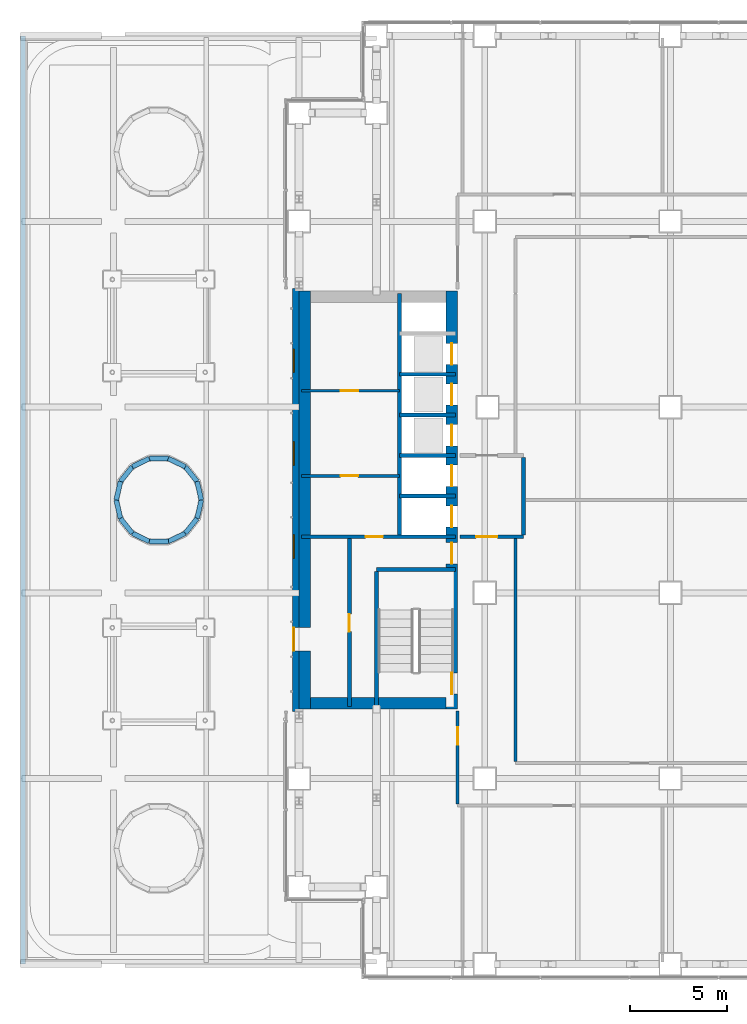
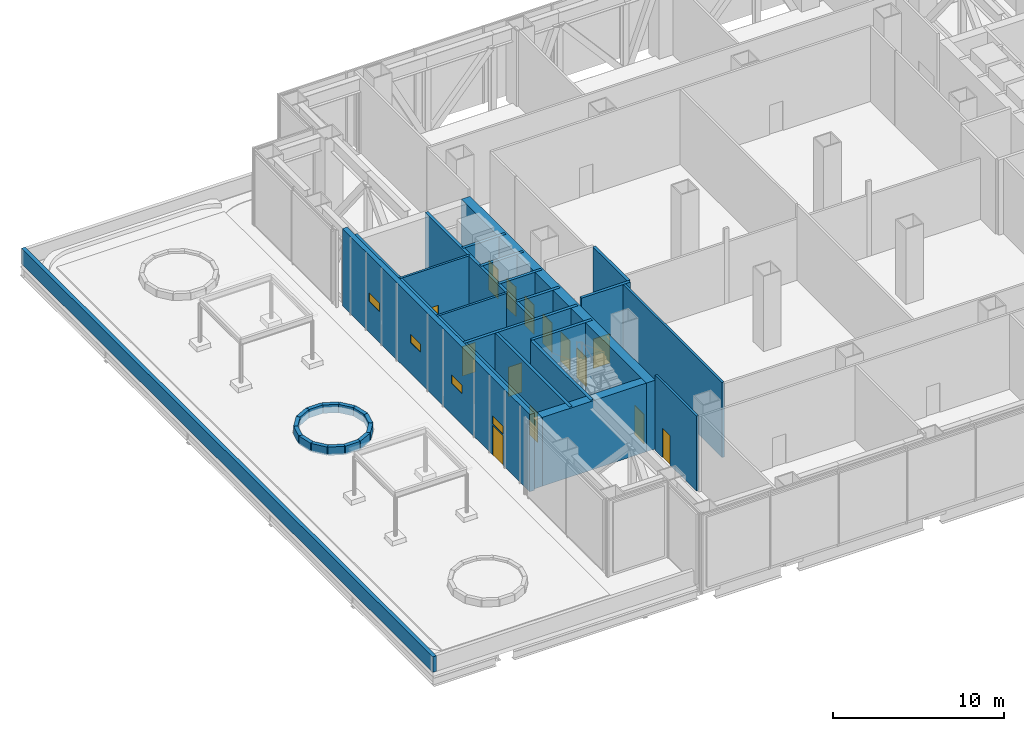
# One storey, part 24 of 39: 34 walls, 14 doors, 4 windows, 19 openings.
"""IFC4 building model written with IfcOpenShell, lengths in metres."""

import ifcopenshell
import ifcopenshell.guid

model = None  # the IFC model being written
_history = None  # IfcOwnerHistory: only IFC2X3 demands one
_inside = {}  # id of a spatial element -> (the spatial element, [elements in it])
_under = {}  # id of a project, library or spatial element -> (it, [spatial elements below it])
_declared = {}  # id of a project -> (the project, [libraries it declares])
_typed = {}  # id of a type object -> (the type object, [elements of that type])
_made_of = {}  # id of a material, layer set ... -> (it, [elements and type objects made of it])


def new_model(schema):
    """Start an empty IFC model of exactly this schema.

    Asked for "IFC4X3", IfcOpenShell would pick the latest addendum, in which some entities
    have other attributes; the version numbers below select the first issue.
    IFC2X3 requires an IfcOwnerHistory on every rooted entity: one is made here for all.
    """
    global model, _history
    if schema == "IFC4X3":
        model = ifcopenshell.file(schema_version=(4, 3, 0, 0))
    else:
        model = ifcopenshell.file(schema=schema)
    _inside.clear()
    _under.clear()
    _declared.clear()
    _typed.clear()
    _made_of.clear()
    _history = None
    if model.schema == "IFC2X3":
        org = make("IfcOrganization", Name="unknown")
        user = make(
            "IfcPersonAndOrganization",
            ThePerson=make("IfcPerson", FamilyName="unknown"),
            TheOrganization=org,
        )
        app = make(
            "IfcApplication",
            ApplicationDeveloper=org,
            Version="unknown",
            ApplicationFullName="unknown",
            ApplicationIdentifier="unknown",
        )
        _history = make(
            "IfcOwnerHistory",
            OwningUser=user,
            OwningApplication=app,
            ChangeAction="ADDED",
            CreationDate=0,
        )
    return model


def make(cls, **values):
    """One entity of the class cls with the attributes given. An attribute that is None is left unset."""
    return model.create_entity(
        cls, **{name: value for name, value in values.items() if value is not None}
    )


def rooted(cls, **values):
    """An entity with a GlobalId (a new one), such as an element, a storey or a relation."""
    return make(cls, GlobalId=ifcopenshell.guid.new(), OwnerHistory=_history, **values)


def si_unit(unit_type, name, prefix=None):
    """IfcSIUnit, for example si_unit("LENGTHUNIT", "METRE", prefix="MILLI")."""
    return make("IfcSIUnit", UnitType=unit_type, Prefix=prefix, Name=name)


def assignment(units):
    """IfcUnitAssignment: the units of a project."""
    return None if units is None else make("IfcUnitAssignment", Units=units)


def point(xyz):
    """IfcCartesianPoint."""
    return None if xyz is None else make("IfcCartesianPoint", Coordinates=xyz)


def direction(xyz):
    """IfcDirection."""
    return None if xyz is None else make("IfcDirection", DirectionRatios=xyz)


def frame(location, z_axis=None, x_axis=None):
    """IfcAxis2Placement3D, a coordinate frame: its origin and axes. An axis left out is left unset."""
    return make(
        "IfcAxis2Placement3D",
        Location=point(location),
        Axis=direction(z_axis),
        RefDirection=direction(x_axis),
    )


def frame_2d(location, x_axis=None):
    """IfcAxis2Placement2D, a coordinate frame in the plane: its origin and x axis."""
    return make(
        "IfcAxis2Placement2D", Location=point(location), RefDirection=direction(x_axis)
    )


def origin():
    """The frame at (0, 0, 0) with its axes left unset."""
    return frame((0.0, 0.0, 0.0))


def place(relative_to, where):
    """IfcLocalPlacement: puts the frame where relative to a parent placement (None: the world)."""
    return make(
        "IfcLocalPlacement", PlacementRelTo=relative_to, RelativePlacement=where
    )


def context(
    kind, dimensions, precision=None, world=None, true_north=None, identifier=None
):
    """IfcGeometricRepresentationContext, for example the 3D "Model" context."""
    return make(
        "IfcGeometricRepresentationContext",
        ContextIdentifier=identifier,
        ContextType=kind,
        CoordinateSpaceDimension=dimensions,
        Precision=precision,
        WorldCoordinateSystem=world,
        TrueNorth=true_north,
    )


def subcontext(parent, identifier, kind, view, scale=None):
    """IfcGeometricRepresentationSubContext, for example "Body" below "Model"."""
    return make(
        "IfcGeometricRepresentationSubContext",
        ContextIdentifier=identifier,
        ContextType=kind,
        ParentContext=parent,
        TargetScale=scale,
        TargetView=view,
    )


def project(units=None, contexts=None):
    """IfcProject with its units and contexts."""
    return rooted(
        "IfcProject",
        Name="project",
        RepresentationContexts=contexts,
        UnitsInContext=assignment(units),
    )


def spatial(cls, under=None, at=None, **own):
    """A site, building, storey or space (cls), placed at a placement, below another one or the project."""
    s = rooted(cls, ObjectPlacement=at, **own)
    if under is not None:
        _under.setdefault(under.id(), (under, []))[1].append(s)
    return s


def profile(cls, at=None, kind="AREA", **sizes):
    """A parametric profile (cls). Its sizes go by their IFC names, for example OverallWidth=200.0."""
    return make(cls, ProfileType=kind, Position=at, **sizes)


def rectangle(**sizes):
    """IfcRectangleProfileDef."""
    return profile("IfcRectangleProfileDef", **sizes)


def extrude(swept, where, along, depth):
    """IfcExtrudedAreaSolid: the profile swept, set in the frame where, extruded along a direction by depth."""
    return make(
        "IfcExtrudedAreaSolid",
        SweptArea=swept,
        Position=where,
        ExtrudedDirection=direction(along),
        Depth=depth,
    )


def shape(context_of_items, identifier, shape_type, items):
    """IfcShapeRepresentation: the items that make up one representation, for example the "Body"."""
    return make(
        "IfcShapeRepresentation",
        ContextOfItems=context_of_items,
        RepresentationIdentifier=identifier,
        RepresentationType=shape_type,
        Items=items,
    )


def material(Name=None, Category=None):
    """IfcMaterial."""
    return make("IfcMaterial", Name=Name, Category=Category)


def layer(
    of_material, thickness, ventilated=None, Name=None, Category=None, Priority=None
):
    """IfcMaterialLayer: one layer of a wall or slab, of a material (None: an air gap)."""
    return make(
        "IfcMaterialLayer",
        Material=of_material,
        LayerThickness=thickness,
        IsVentilated=ventilated,
        Name=Name,
        Category=Category,
        Priority=Priority,
    )


def layer_set(layers, Name=None):
    """IfcMaterialLayerSet."""
    return make("IfcMaterialLayerSet", MaterialLayers=layers, LayerSetName=Name)


def made_of(thing, what):
    """Note that an element or type object is made of a material, layer set ...; save() writes the relation."""
    if what is not None:
        _made_of.setdefault(what.id(), (what, []))[1].append(thing)
    return thing


def type_object(cls, material=None, **own):
    """A type object (cls), such as IfcWallType, which elements share."""
    return made_of(rooted(cls, **own), material)


def element(
    cls,
    number,
    at=None,
    inside=None,
    cuts=None,
    type_object=None,
    material=None,
    context=None,
    identifier="Body",
    shape_type=None,
    held_by="IfcProductDefinitionShape",
    body=None,
    shapes=None,
    **own,
):
    """One element of the class cls, such as IfcWall. Its Tag is "e" and its number.

    at: its placement. inside: the storey or other place that contains it. cuts: it is an
    opening in that element (IfcRelVoidsElement). A single representation is given by context,
    identifier, shape_type and body (its items); several are given by shapes. held_by: the class
    of the entity that holds the representations. save() writes the other relations.
    """
    e = rooted(cls, Tag="e%d" % number, ObjectPlacement=at, **own)
    if body is not None:
        shapes = [shape(context, identifier, shape_type, body)]
    if shapes is not None:
        e.Representation = make(held_by, Representations=shapes)
    if inside is not None:
        _inside.setdefault(inside.id(), (inside, []))[1].append(e)
    if cuts is not None:
        rooted(
            "IfcRelVoidsElement", RelatingBuildingElement=cuts, RelatedOpeningElement=e
        )
    if type_object is not None:
        _typed.setdefault(type_object.id(), (type_object, []))[1].append(e)
    return made_of(e, material)


def fill(opening, filler):
    """IfcRelFillsElement: the door or window that sits in an opening."""
    return rooted(
        "IfcRelFillsElement",
        RelatingOpeningElement=opening,
        RelatedBuildingElement=filler,
    )


def aggregate(whole, parts):
    """IfcRelAggregates: a whole, such as a stair, and the parts it consists of."""
    return rooted("IfcRelAggregates", RelatingObject=whole, RelatedObjects=parts)


def save(model, path):
    """Write the relations noted so far, then the file.

    IfcRelAggregates (storeys below a building ...), IfcRelContainedInSpatialStructure (elements
    in a storey), IfcRelDefinesByType, IfcRelAssociatesMaterial and IfcRelDeclares: one each for
    every whole, place, type object, material and project.
    """
    for whole, parts in _under.values():
        aggregate(whole, parts)
    for where, things in _inside.values():
        rooted(
            "IfcRelContainedInSpatialStructure",
            RelatedElements=things,
            RelatingStructure=where,
        )
    for kind, things in _typed.values():
        rooted("IfcRelDefinesByType", RelatedObjects=things, RelatingType=kind)
    for what, things in _made_of.values():
        rooted("IfcRelAssociatesMaterial", RelatedObjects=things, RelatingMaterial=what)
    for by, libraries in _declared.values():
        rooted("IfcRelDeclares", RelatingContext=by, RelatedDefinitions=libraries)
    model.write(path)


model = new_model("IFC4")

# Units and contexts
model_context = context("Model", 3, precision=1e-05, world=origin(), true_north=direction((0.0, 1.0)))
body_context = subcontext(model_context, "Body", "Model", "MODEL_VIEW")
ifc_project = project(units=[si_unit("LENGTHUNIT", "METRE"), si_unit("AREAUNIT", "SQUARE_METRE"), si_unit("VOLUMEUNIT", "CUBIC_METRE"), si_unit("PLANEANGLEUNIT", "RADIAN"), si_unit("MASSUNIT", "GRAM", prefix="KILO")], contexts=[model_context])

# Site, building, storey
site_placement = place(None, origin())
site = spatial("IfcSite", under=ifc_project, at=site_placement, CompositionType="ELEMENT")
building_placement = place(site_placement, origin())
building = spatial("IfcBuilding", under=site, at=building_placement, Name="Cobrizo Arcos Hotel Tower", CompositionType="ELEMENT")
storey_placement = place(building_placement, frame((0.0, 0.0, 33.5)))
storey = spatial("IfcBuildingStorey", under=building, at=storey_placement, Name="L06", CompositionType="ELEMENT", Elevation=33.5)

# Wall, opening, door
ifc_material_1 = material(Name="Gypsum board partition")
ifc_layer_1 = layer(ifc_material_1, 0.14990234375)
ifc_layer_set_1 = layer_set([ifc_layer_1], Name="Corridor wall EI 60 150")
wall_type_1 = type_object("IfcWallType", Name="Corridor wall EI 60 150", PredefinedType="PARTITIONING", material=ifc_layer_set_1)
wall_1_placement = place(storey_placement, frame((-23.8798828125, 1.25, 0.0), z_axis=(0.0, 0.0, 1.0), x_axis=(1.0, 0.0, 0.0)))
wall_1 = element("IfcWall", 1, at=wall_1_placement, inside=storey, type_object=wall_type_1, Name="Partition 016", PredefinedType="PARTITIONING", context=body_context, shape_type="SweptSolid", body=[
    extrude(rectangle(XDim=5.079833984375, YDim=0.14990234375, at=frame_2d((2.5400390625, 0.0))), origin(), (0.0, 0.0, 1.0), 4.89990234375),
])
opening_1_placement = place(wall_1_placement, frame((2.030029296875, 0.0, 0.0)))
opening_1 = element("IfcOpeningElement", 2, at=opening_1_placement, cuts=wall_1, Name="Opening RD-03", PredefinedType="OPENING", context=body_context, shape_type="SweptSolid", body=[
    extrude(rectangle(XDim=0.89990234375, YDim=2.10009765625, at=frame_2d((0.449951171875, 1.050048828125))), frame((0.0, 0.0869140625, 0.0), z_axis=(0.0, -1.0, 0.0), x_axis=(1.0, 0.0, 0.0)), (0.0, 0.0, 1.0), 0.173828125),
])
ifc_material_2 = material(Name="Timber door leaf", Category="wood")
door_type_1 = type_object("IfcDoorType", Name="Room door FD30 900x2100", OperationType="SINGLE_SWING_LEFT", PredefinedType="DOOR", material=ifc_material_2)
door_1_placement = place(opening_1_placement, origin())
door_1 = element("IfcDoor", 3, at=door_1_placement, inside=storey, type_object=door_type_1, Name="Door RD-03", OperationType="SINGLE_SWING_RIGHT", OverallHeight=2.10009765625, OverallWidth=0.89990234375, PredefinedType="DOOR", context=body_context, shape_type="SweptSolid", body=[
    extrude(rectangle(XDim=0.89990234375, YDim=2.10009765625, at=frame_2d((0.449951171875, 1.050048828125))), frame((0.0, 0.02490234375, 0.0), z_axis=(0.0, -1.0, 0.0), x_axis=(1.0, 0.0, 0.0)), (0.0, 0.0, 1.0), 0.050048828125),
])
fill(opening_1, door_1)

wall_2_placement = place(storey_placement, frame((-23.8798828125, 5.64990234375, 0.0), z_axis=(0.0, 0.0, 1.0), x_axis=(1.0, 0.0, 0.0)))
wall_2 = element("IfcWall", 4, at=wall_2_placement, inside=storey, type_object=wall_type_1, Name="Partition 024", PredefinedType="PARTITIONING", context=body_context, shape_type="SweptSolid", body=[
    extrude(rectangle(XDim=5.079833984375, YDim=0.14990234375, at=frame_2d((2.5400390625, 0.0))), origin(), (0.0, 0.0, 1.0), 4.89990234375),
])
opening_2_placement = place(wall_2_placement, frame((2.030029296875, 0.0, 0.0)))
opening_2 = element("IfcOpeningElement", 5, at=opening_2_placement, cuts=wall_2, Name="Opening RD-04", PredefinedType="OPENING", context=body_context, shape_type="SweptSolid", body=[
    extrude(rectangle(XDim=0.89990234375, YDim=2.10009765625, at=frame_2d((0.449951171875, 1.050048828125))), frame((0.0, 0.0869140625, 0.0), z_axis=(0.0, -1.0, 0.0), x_axis=(1.0, 0.0, 0.0)), (0.0, 0.0, 1.0), 0.173828125),
])
door_2_placement = place(opening_2_placement, origin())
door_2 = element("IfcDoor", 6, at=door_2_placement, inside=storey, type_object=door_type_1, Name="Door RD-04", OperationType="SINGLE_SWING_LEFT", OverallHeight=2.10009765625, OverallWidth=0.89990234375, PredefinedType="DOOR", context=body_context, shape_type="SweptSolid", body=[
    extrude(rectangle(XDim=0.89990234375, YDim=2.10009765625, at=frame_2d((0.449951171875, 1.050048828125))), frame((0.0, 0.02490234375, 0.0), z_axis=(0.0, -1.0, 0.0), x_axis=(1.0, 0.0, 0.0)), (0.0, 0.0, 1.0), 0.050048828125),
])
fill(opening_2, door_2)

wall_3_placement = place(storey_placement, frame((-15.800048828125, -15.72509765625, 0.0), z_axis=(0.0, 0.0, 1.0), x_axis=(0.0, 1.0, 0.0)))
wall_3 = element("IfcWall", 7, at=wall_3_placement, inside=storey, type_object=wall_type_1, Name="Partition 035", PredefinedType="PARTITIONING", context=body_context, shape_type="SweptSolid", body=[
    extrude(rectangle(XDim=4.80517578125, YDim=0.14990234375, at=frame_2d((2.402587890625, 0.0))), origin(), (0.0, 0.0, 1.0), 5.35009765625),
])
opening_3_placement = place(wall_3_placement, frame((3.074951171875, 0.0, 0.0)))
opening_3 = element("IfcOpeningElement", 8, at=opening_3_placement, cuts=wall_3, Name="Opening RD-15", PredefinedType="OPENING", context=body_context, shape_type="SweptSolid", body=[
    extrude(rectangle(XDim=0.89990234375, YDim=2.10009765625, at=frame_2d((0.449951171875, 1.050048828125))), frame((0.0, 0.0869140625, 0.0), z_axis=(0.0, -1.0, 0.0), x_axis=(1.0, 0.0, 0.0)), (0.0, 0.0, 1.0), 0.173828125),
])
door_3_placement = place(opening_3_placement, origin())
door_3 = element("IfcDoor", 9, at=door_3_placement, inside=storey, type_object=door_type_1, Name="Door RD-15", OperationType="SINGLE_SWING_RIGHT", OverallHeight=2.10009765625, OverallWidth=0.89990234375, PredefinedType="DOOR", context=body_context, shape_type="SweptSolid", body=[
    extrude(rectangle(XDim=0.89990234375, YDim=2.10009765625, at=frame_2d((0.449951171875, 1.050048828125))), frame((0.0, 0.02490234375, 0.0), z_axis=(0.0, -1.0, 0.0), x_axis=(1.0, 0.0, 0.0)), (0.0, 0.0, 1.0), 0.050048828125),
])
fill(opening_3, door_3)

# Wall
wall_4_placement = place(storey_placement, frame((-12.800048828125, -13.52490234375, 0.0), z_axis=(0.0, 0.0, 1.0), x_axis=(0.0, 1.0, 0.0)))
element("IfcWall", 10, at=wall_4_placement, inside=storey, type_object=wall_type_1, Name="Partition 039", PredefinedType="PARTITIONING", context=body_context, shape_type="SweptSolid", body=[
    extrude(rectangle(XDim=11.52490234375, YDim=0.14990234375, at=frame_2d((5.762451171875, 0.0))), origin(), (0.0, 0.0, 1.0), 5.35009765625),
])

# Wall, openings, door, windows
ifc_material_3 = material(Name="Aluminium composite panel pale metal", Category="aluminium")
ifc_layer_2 = layer(ifc_material_3, 0.324951171875)
ifc_layer_set_2 = layer_set([ifc_layer_2], Name="EW-1 insulated panel wall 325")
wall_type_2 = type_object("IfcWallType", Name="EW-1 insulated panel wall 325", PredefinedType="SOLIDWALL", material=ifc_layer_set_2)
wall_5_placement = place(storey_placement, frame((-24.16259765625, 10.92431640625, 0.0), z_axis=(0.0, 0.0, 1.0), x_axis=(0.0, -1.0, 0.0)))
wall_5 = element("IfcWall", 11, at=wall_5_placement, inside=storey, type_object=wall_type_2, Name="Core face wall L06 W", PredefinedType="SOLIDWALL", context=body_context, shape_type="SweptSolid", body=[
    extrude(rectangle(XDim=21.8486328125, YDim=0.324951171875, at=frame_2d((10.92431640625, 0.0))), origin(), (0.0, 0.0, 1.0), 5.5),
])
opening_4_placement = place(wall_5_placement, frame((3.124267578125, 0.0, 2.199951171875)))
opening_4 = element("IfcOpeningElement", 12, at=opening_4_placement, cuts=wall_5, Name="Opening W-05", PredefinedType="OPENING", context=body_context, shape_type="SweptSolid", body=[
    extrude(rectangle(XDim=1.199951171875, YDim=0.60009765625, at=frame_2d((0.60009765625, 0.300048828125))), frame((0.0, 0.174560546875, 0.0), z_axis=(0.0, -1.0, 0.0), x_axis=(1.0, 0.0, 0.0)), (0.0, 0.0, 1.0), 0.348876953125),
])
opening_5_placement = place(wall_5_placement, frame((7.92431640625, 0.0, 2.199951171875)))
opening_5 = element("IfcOpeningElement", 13, at=opening_5_placement, cuts=wall_5, Name="Opening W-06", PredefinedType="OPENING", context=body_context, shape_type="SweptSolid", body=[
    extrude(rectangle(XDim=1.199951171875, YDim=0.60009765625, at=frame_2d((0.60009765625, 0.300048828125))), frame((0.0, 0.174560546875, 0.0), z_axis=(0.0, -1.0, 0.0), x_axis=(1.0, 0.0, 0.0)), (0.0, 0.0, 1.0), 0.348876953125),
])
opening_6_placement = place(wall_5_placement, frame((12.724365234375, 0.0, 2.199951171875)))
opening_6 = element("IfcOpeningElement", 14, at=opening_6_placement, cuts=wall_5, Name="Opening W-07", PredefinedType="OPENING", context=body_context, shape_type="SweptSolid", body=[
    extrude(rectangle(XDim=1.199951171875, YDim=0.60009765625, at=frame_2d((0.60009765625, 0.300048828125))), frame((0.0, 0.174560546875, 0.0), z_axis=(0.0, -1.0, 0.0), x_axis=(1.0, 0.0, 0.0)), (0.0, 0.0, 1.0), 0.348876953125),
])
opening_7_placement = place(wall_5_placement, frame((17.5244140625, 0.0, 2.199951171875)))
opening_7 = element("IfcOpeningElement", 15, at=opening_7_placement, cuts=wall_5, Name="Opening W-08", PredefinedType="OPENING", context=body_context, shape_type="SweptSolid", body=[
    extrude(rectangle(XDim=1.199951171875, YDim=0.60009765625, at=frame_2d((0.60009765625, 0.300048828125))), frame((0.0, 0.174560546875, 0.0), z_axis=(0.0, -1.0, 0.0), x_axis=(1.0, 0.0, 0.0)), (0.0, 0.0, 1.0), 0.348876953125),
])
opening_8_placement = place(wall_5_placement, frame((17.52392578125, 0.0, 0.0)))
opening_8 = element("IfcOpeningElement", 16, at=opening_8_placement, cuts=wall_5, Name="Opening TD-01", PredefinedType="OPENING", context=body_context, shape_type="SweptSolid", body=[
    extrude(rectangle(XDim=1.199951171875, YDim=2.10009765625, at=frame_2d((0.60009765625, 1.050048828125))), frame((0.0, 0.174560546875, 0.0), z_axis=(0.0, -1.0, 0.0), x_axis=(1.0, 0.0, 0.0)), (0.0, 0.0, 1.0), 0.348876953125),
])
ifc_material_4 = material(Name="Aluminium 6063-T6 and clear laminated glass", Category="aluminium")
door_type_2 = type_object("IfcDoorType", Name="Terrace door 1200x2100", OperationType="DOUBLE_DOOR_SINGLE_SWING", PredefinedType="DOOR", material=ifc_material_4)
door_4_placement = place(opening_8_placement, origin())
door_4 = element("IfcDoor", 17, at=door_4_placement, inside=storey, type_object=door_type_2, Name="Terrace door TD-01", OperationType="DOUBLE_DOOR_SINGLE_SWING", OverallHeight=2.10009765625, OverallWidth=1.199951171875, PredefinedType="DOOR", context=body_context, shape_type="SweptSolid", body=[
    extrude(rectangle(XDim=1.199951171875, YDim=2.10009765625, at=frame_2d((0.60009765625, 1.050048828125))), frame((0.0, -0.0927734375, 0.0), z_axis=(0.0, -1.0, 0.0), x_axis=(1.0, 0.0, 0.0)), (0.0, 0.0, 1.0), 0.050048828125),
])
fill(opening_8, door_4)
window_type = type_object("IfcWindowType", Name="W-S1 plant smoke-vent window 1200x600", PartitioningType="SINGLE_PANEL", PredefinedType="WINDOW", material=ifc_material_4)
window_1_placement = place(opening_4_placement, origin())
window_1 = element("IfcWindow", 18, at=window_1_placement, inside=storey, type_object=window_type, Name="Core face wall L06 W window W-05", OverallHeight=0.60009765625, OverallWidth=1.199951171875, PartitioningType="SINGLE_PANEL", PredefinedType="WINDOW", context=body_context, shape_type="SweptSolid", body=[
    extrude(rectangle(XDim=1.199951171875, YDim=0.60009765625, at=frame_2d((0.60009765625, 0.300048828125))), frame((0.0, -0.072509765625, 0.0), z_axis=(0.0, -1.0, 0.0), x_axis=(1.0, 0.0, 0.0)), (0.0, 0.0, 1.0), 0.06005859375),
])
fill(opening_4, window_1)
window_2_placement = place(opening_5_placement, origin())
window_2 = element("IfcWindow", 19, at=window_2_placement, inside=storey, type_object=window_type, Name="Core face wall L06 W window W-06", OverallHeight=0.60009765625, OverallWidth=1.199951171875, PartitioningType="SINGLE_PANEL", PredefinedType="WINDOW", context=body_context, shape_type="SweptSolid", body=[
    extrude(rectangle(XDim=1.199951171875, YDim=0.60009765625, at=frame_2d((0.60009765625, 0.300048828125))), frame((0.0, -0.072509765625, 0.0), z_axis=(0.0, -1.0, 0.0), x_axis=(1.0, 0.0, 0.0)), (0.0, 0.0, 1.0), 0.06005859375),
])
fill(opening_5, window_2)
window_3_placement = place(opening_6_placement, origin())
window_3 = element("IfcWindow", 20, at=window_3_placement, inside=storey, type_object=window_type, Name="Core face wall L06 W window W-07", OverallHeight=0.60009765625, OverallWidth=1.199951171875, PartitioningType="SINGLE_PANEL", PredefinedType="WINDOW", context=body_context, shape_type="SweptSolid", body=[
    extrude(rectangle(XDim=1.199951171875, YDim=0.60009765625, at=frame_2d((0.60009765625, 0.300048828125))), frame((0.0, -0.072509765625, 0.0), z_axis=(0.0, -1.0, 0.0), x_axis=(1.0, 0.0, 0.0)), (0.0, 0.0, 1.0), 0.06005859375),
])
fill(opening_6, window_3)
window_4_placement = place(opening_7_placement, origin())
window_4 = element("IfcWindow", 21, at=window_4_placement, inside=storey, type_object=window_type, Name="Core face wall L06 W window W-08", OverallHeight=0.60009765625, OverallWidth=1.199951171875, PartitioningType="SINGLE_PANEL", PredefinedType="WINDOW", context=body_context, shape_type="SweptSolid", body=[
    extrude(rectangle(XDim=1.199951171875, YDim=0.60009765625, at=frame_2d((0.60009765625, 0.300048828125))), frame((0.0, -0.072509765625, 0.0), z_axis=(0.0, -1.0, 0.0), x_axis=(1.0, 0.0, 0.0)), (0.0, 0.0, 1.0), 0.06005859375),
])
fill(opening_7, window_4)

# Walls
ifc_layer_3 = layer(ifc_material_3, 0.25)
ifc_layer_set_3 = layer_set([ifc_layer_3], Name="PW-1 parapet wall")
wall_type_3 = type_object("IfcWallType", Name="PW-1 parapet wall", PredefinedType="PARAPET", material=ifc_layer_set_3)
wall_6_placement = place(storey_placement, frame((-38.27490234375, 24.0, 0.0), z_axis=(0.0, 0.0, 1.0), x_axis=(0.0, -1.0, 0.0)))
element("IfcWall", 22, at=wall_6_placement, inside=storey, type_object=wall_type_3, Name="Parapet L05 W", PredefinedType="PARAPET", context=body_context, shape_type="SweptSolid", body=[
    extrude(rectangle(XDim=48.0, YDim=0.25, at=frame_2d((24.0, 0.0))), origin(), (0.0, 0.0, 1.0), 1.10009765625),
])
ifc_material_5 = material(Name="Precast concrete C40/50", Category="concrete")
ifc_layer_4 = layer(ifc_material_5, 0.25)
ifc_layer_set_4 = layer_set([ifc_layer_4], Name="Planter wall 250")
wall_type_4 = type_object("IfcWallType", Name="Planter wall 250", PredefinedType="SOLIDWALL", material=ifc_layer_set_4)
for number, where, z_axis, x_axis, name in (
    (23, (-29.050048828125, 0.0, 0.0), (0.0, 0.0, 1.0), (-0.222418551652, 0.974951274619, 0.0), "Planter wall 2-1"),
    (24, (-29.267822265625, 0.95458984375, 0.0), (0.0, 0.0, 1.0), (-0.623630158608, 0.781719531082, 0.0), "Planter wall 2-2"),
    (25, (-29.87841796875, 1.719970703125, 0.0), (0.0, 0.0, 1.0), (-0.900961956139, 0.433898091249, 0.0), "Planter wall 2-3"),
    (26, (-30.760498046875, 2.144775390625, 0.0), (0.0, 0.0, 1.0), (-1.0, 0.0, 0.0), "Planter wall 2-4"),
    (27, (-31.739501953125, 2.144775390625, 0.0), (0.0, 0.0, 1.0), (-0.900961956139, -0.433898091249, 0.0), "Planter wall 2-5"),
    (28, (-32.62158203125, 1.719970703125, 0.0), (0.0, 0.0, 1.0), (-0.623630158608, -0.781719531082, 0.0), "Planter wall 2-6"),
    (29, (-33.232177734375, 0.95458984375, 0.0), (0.0, 0.0, 1.0), (-0.222418551652, -0.974951274619, 0.0), "Planter wall 2-7"),
    (30, (-33.449951171875, 0.0, 0.0), (0.0, 0.0, 1.0), (0.222418551652, -0.974951274619, 0.0), "Planter wall 2-8"),
    (31, (-33.232177734375, -0.95458984375, 0.0), (0.0, 0.0, 1.0), (0.623630158608, -0.781719531082, 0.0), "Planter wall 2-9"),
    (32, (-32.62158203125, -1.719970703125, 0.0), (0.0, 0.0, 1.0), (0.900961956139, -0.433898091249, 0.0), "Planter wall 2-10"),
    (33, (-31.739501953125, -2.144775390625, 0.0), (0.0, 0.0, 1.0), (1.0, 0.0, 0.0), "Planter wall 2-11"),
    (34, (-30.760498046875, -2.144775390625, 0.0), (0.0, 0.0, 1.0), (0.900961956139, 0.433898091249, 0.0), "Planter wall 2-12"),
    (35, (-29.87841796875, -1.719970703125, 0.0), (0.0, 0.0, 1.0), (0.623630158608, 0.781719531082, 0.0), "Planter wall 2-13"),
    (36, (-29.267822265625, -0.95458984375, 0.0), (0.0, 0.0, 1.0), (0.222418551652, 0.974951274619, 0.0), "Planter wall 2-14"),
):
    element("IfcWall", number, at=place(storey_placement, frame(where, z_axis=z_axis, x_axis=x_axis)), inside=storey, type_object=wall_type_4, Name=name, PredefinedType="SOLIDWALL", context=body_context, shape_type="SweptSolid", body=[
        extrude(rectangle(XDim=0.97900390625, YDim=0.25, at=frame_2d((0.489501953125, 0.0))), origin(), (0.0, 0.0, 1.0), 0.60009765625),
    ])

# Wall, openings, doors
ifc_material_6 = material(Name="Concrete f'c 60 MPa", Category="concrete")
ifc_layer_5 = layer(ifc_material_6, 0.60009765625)
ifc_layer_set_5 = layer_set([ifc_layer_5], Name="RC core wall 600 f'c 60")
wall_type_5 = type_object("IfcWallType", Name="RC core wall 600 f'c 60", PredefinedType="SHEAR", material=ifc_layer_set_5)
wall_7_placement = place(storey_placement, frame((-16.10009765625, -10.800048828125, 0.0), z_axis=(0.0, 0.0, 1.0), x_axis=(0.0, 1.0, 0.0)))
wall_7 = element("IfcWall", 37, at=wall_7_placement, inside=storey, type_object=wall_type_5, Name="Core wall CW1, west core, inner face, L06", PredefinedType="SHEAR", context=body_context, shape_type="SweptSolid", body=[
    extrude(rectangle(XDim=21.60009765625, YDim=0.60009765625, at=frame_2d((10.800048828125, 0.0))), origin(), (0.0, 0.0, 1.0), 4.89990234375),
])
opening_9_placement = place(wall_7_placement, frame((9.39990234375, 0.0, 0.0)))
opening_9 = element("IfcOpeningElement", 38, at=opening_9_placement, cuts=wall_7, Name="Opening LD-01", PredefinedType="OPENING", context=body_context, shape_type="SweptSolid", body=[
    extrude(rectangle(XDim=1.10009765625, YDim=2.10009765625, at=frame_2d((0.550048828125, 1.050048828125))), frame((0.0, 0.31201171875, 0.0), z_axis=(0.0, -1.0, 0.0), x_axis=(1.0, 0.0, 0.0)), (0.0, 0.0, 1.0), 0.6240234375),
])
opening_10_placement = place(wall_7_placement, frame((11.5, 0.0, 0.0)))
opening_10 = element("IfcOpeningElement", 39, at=opening_10_placement, cuts=wall_7, Name="Opening LD-02", PredefinedType="OPENING", context=body_context, shape_type="SweptSolid", body=[
    extrude(rectangle(XDim=1.10009765625, YDim=2.10009765625, at=frame_2d((0.550048828125, 1.050048828125))), frame((0.0, 0.31201171875, 0.0), z_axis=(0.0, -1.0, 0.0), x_axis=(1.0, 0.0, 0.0)), (0.0, 0.0, 1.0), 0.6240234375),
])
opening_11_placement = place(wall_7_placement, frame((13.60009765625, 0.0, 0.0)))
opening_11 = element("IfcOpeningElement", 40, at=opening_11_placement, cuts=wall_7, Name="Opening LD-03", PredefinedType="OPENING", context=body_context, shape_type="SweptSolid", body=[
    extrude(rectangle(XDim=1.10009765625, YDim=2.10009765625, at=frame_2d((0.550048828125, 1.050048828125))), frame((0.0, 0.31201171875, 0.0), z_axis=(0.0, -1.0, 0.0), x_axis=(1.0, 0.0, 0.0)), (0.0, 0.0, 1.0), 0.6240234375),
])
opening_12_placement = place(wall_7_placement, frame((15.699951171875, 0.0, 0.0)))
opening_12 = element("IfcOpeningElement", 41, at=opening_12_placement, cuts=wall_7, Name="Opening LD-04", PredefinedType="OPENING", context=body_context, shape_type="SweptSolid", body=[
    extrude(rectangle(XDim=1.10009765625, YDim=2.10009765625, at=frame_2d((0.550048828125, 1.050048828125))), frame((0.0, 0.31201171875, 0.0), z_axis=(0.0, -1.0, 0.0), x_axis=(1.0, 0.0, 0.0)), (0.0, 0.0, 1.0), 0.6240234375),
])
opening_13_placement = place(wall_7_placement, frame((17.800048828125, 0.0, 0.0)))
opening_13 = element("IfcOpeningElement", 42, at=opening_13_placement, cuts=wall_7, Name="Opening LD-05", PredefinedType="OPENING", context=body_context, shape_type="SweptSolid", body=[
    extrude(rectangle(XDim=1.10009765625, YDim=2.10009765625, at=frame_2d((0.550048828125, 1.050048828125))), frame((0.0, 0.31201171875, 0.0), z_axis=(0.0, -1.0, 0.0), x_axis=(1.0, 0.0, 0.0)), (0.0, 0.0, 1.0), 0.6240234375),
])
opening_14_placement = place(wall_7_placement, frame((0.758056640625, 0.0, 0.0)))
opening_14 = element("IfcOpeningElement", 43, at=opening_14_placement, cuts=wall_7, Name="Opening SD-01", PredefinedType="OPENING", context=body_context, shape_type="SweptSolid", body=[
    extrude(rectangle(XDim=1.10009765625, YDim=2.10009765625, at=frame_2d((0.550048828125, 1.050048828125))), frame((0.0, 0.31201171875, 0.0), z_axis=(0.0, -1.0, 0.0), x_axis=(1.0, 0.0, 0.0)), (0.0, 0.0, 1.0), 0.6240234375),
])
opening_15_placement = place(wall_7_placement, frame((7.5, 0.0, 0.0)))
opening_15 = element("IfcOpeningElement", 44, at=opening_15_placement, cuts=wall_7, Name="Opening FD-01", PredefinedType="OPENING", context=body_context, shape_type="SweptSolid", body=[
    extrude(rectangle(XDim=1.10009765625, YDim=2.10009765625, at=frame_2d((0.550048828125, 1.050048828125))), frame((0.0, 0.31201171875, 0.0), z_axis=(0.0, -1.0, 0.0), x_axis=(1.0, 0.0, 0.0)), (0.0, 0.0, 1.0), 0.6240234375),
])
ifc_material_7 = material(Name="Steel door leaf", Category="steel")
door_type_3 = type_object("IfcDoorType", Name="Fire door FD60 1100x2100", OperationType="SINGLE_SWING_LEFT", PredefinedType="DOOR", material=ifc_material_7)
door_5_placement = place(opening_15_placement, origin())
door_5 = element("IfcDoor", 45, at=door_5_placement, inside=storey, type_object=door_type_3, Name="Door FD-01", OperationType="SINGLE_SWING_RIGHT", OverallHeight=2.10009765625, OverallWidth=1.10009765625, PredefinedType="DOOR", context=body_context, shape_type="SweptSolid", body=[
    extrude(rectangle(XDim=1.10009765625, YDim=2.10009765625, at=frame_2d((0.550048828125, 1.050048828125))), frame((0.0, 0.02490234375, 0.0), z_axis=(0.0, -1.0, 0.0), x_axis=(1.0, 0.0, 0.0)), (0.0, 0.0, 1.0), 0.050048828125),
])
fill(opening_15, door_5)
door_type_4 = type_object("IfcDoorType", Name="Lift landing door 1100x2100", OperationType="SLIDING_TO_LEFT", PredefinedType="DOOR", material=ifc_material_7)
door_6_placement = place(opening_9_placement, origin())
door_6 = element("IfcDoor", 46, at=door_6_placement, inside=storey, type_object=door_type_4, Name="Lift landing door LD-01", OperationType="SLIDING_TO_LEFT", OverallHeight=2.10009765625, OverallWidth=1.10009765625, PredefinedType="DOOR", context=body_context, shape_type="SweptSolid", body=[
    extrude(rectangle(XDim=1.10009765625, YDim=2.10009765625, at=frame_2d((0.550048828125, 1.050048828125))), frame((0.0, 0.02490234375, 0.0), z_axis=(0.0, -1.0, 0.0), x_axis=(1.0, 0.0, 0.0)), (0.0, 0.0, 1.0), 0.050048828125),
])
fill(opening_9, door_6)
door_7_placement = place(opening_10_placement, origin())
door_7 = element("IfcDoor", 47, at=door_7_placement, inside=storey, type_object=door_type_4, Name="Lift landing door LD-02", OperationType="SLIDING_TO_LEFT", OverallHeight=2.10009765625, OverallWidth=1.10009765625, PredefinedType="DOOR", context=body_context, shape_type="SweptSolid", body=[
    extrude(rectangle(XDim=1.10009765625, YDim=2.10009765625, at=frame_2d((0.550048828125, 1.050048828125))), frame((0.0, 0.02490234375, 0.0), z_axis=(0.0, -1.0, 0.0), x_axis=(1.0, 0.0, 0.0)), (0.0, 0.0, 1.0), 0.050048828125),
])
fill(opening_10, door_7)
door_8_placement = place(opening_11_placement, origin())
door_8 = element("IfcDoor", 48, at=door_8_placement, inside=storey, type_object=door_type_4, Name="Lift landing door LD-03", OperationType="SLIDING_TO_LEFT", OverallHeight=2.10009765625, OverallWidth=1.10009765625, PredefinedType="DOOR", context=body_context, shape_type="SweptSolid", body=[
    extrude(rectangle(XDim=1.10009765625, YDim=2.10009765625, at=frame_2d((0.550048828125, 1.050048828125))), frame((0.0, 0.02490234375, 0.0), z_axis=(0.0, -1.0, 0.0), x_axis=(1.0, 0.0, 0.0)), (0.0, 0.0, 1.0), 0.050048828125),
])
fill(opening_11, door_8)
door_9_placement = place(opening_12_placement, origin())
door_9 = element("IfcDoor", 49, at=door_9_placement, inside=storey, type_object=door_type_4, Name="Lift landing door LD-04", OperationType="SLIDING_TO_LEFT", OverallHeight=2.10009765625, OverallWidth=1.10009765625, PredefinedType="DOOR", context=body_context, shape_type="SweptSolid", body=[
    extrude(rectangle(XDim=1.10009765625, YDim=2.10009765625, at=frame_2d((0.550048828125, 1.050048828125))), frame((0.0, 0.02490234375, 0.0), z_axis=(0.0, -1.0, 0.0), x_axis=(1.0, 0.0, 0.0)), (0.0, 0.0, 1.0), 0.050048828125),
])
fill(opening_12, door_9)
door_10_placement = place(opening_13_placement, origin())
door_10 = element("IfcDoor", 50, at=door_10_placement, inside=storey, type_object=door_type_4, Name="Lift landing door LD-05", OperationType="SLIDING_TO_LEFT", OverallHeight=2.10009765625, OverallWidth=1.10009765625, PredefinedType="DOOR", context=body_context, shape_type="SweptSolid", body=[
    extrude(rectangle(XDim=1.10009765625, YDim=2.10009765625, at=frame_2d((0.550048828125, 1.050048828125))), frame((0.0, 0.02490234375, 0.0), z_axis=(0.0, -1.0, 0.0), x_axis=(1.0, 0.0, 0.0)), (0.0, 0.0, 1.0), 0.050048828125),
])
fill(opening_13, door_10)
door_type_5 = type_object("IfcDoorType", Name="Stair door FD60S 1100x2100", OperationType="SINGLE_SWING_LEFT", PredefinedType="DOOR", material=ifc_material_7)
door_11_placement = place(opening_14_placement, origin())
door_11 = element("IfcDoor", 51, at=door_11_placement, inside=storey, type_object=door_type_5, Name="Door SD-01", OperationType="SINGLE_SWING_RIGHT", OverallHeight=2.10009765625, OverallWidth=1.10009765625, PredefinedType="DOOR", context=body_context, shape_type="SweptSolid", body=[
    extrude(rectangle(XDim=1.10009765625, YDim=2.10009765625, at=frame_2d((0.550048828125, 1.050048828125))), frame((0.0, 0.02490234375, 0.0), z_axis=(0.0, -1.0, 0.0), x_axis=(1.0, 0.0, 0.0)), (0.0, 0.0, 1.0), 0.050048828125),
])
fill(opening_14, door_11)

# Wall, opening
wall_8_placement = place(storey_placement, frame((-23.699951171875, -10.800048828125, 0.0), z_axis=(0.0, 0.0, 1.0), x_axis=(0.0, 1.0, 0.0)))
wall_8 = element("IfcWall", 52, at=wall_8_placement, inside=storey, type_object=wall_type_5, Name="Core wall CW1, west core, outer face, L06", PredefinedType="SHEAR", context=body_context, shape_type="SweptSolid", body=[
    extrude(rectangle(XDim=21.60009765625, YDim=0.60009765625, at=frame_2d((10.800048828125, 0.0))), origin(), (0.0, 0.0, 1.0), 4.89990234375),
])
opening_16_placement = place(wall_8_placement, frame((3.00048828125, 0.0, 0.0)))
element("IfcOpeningElement", 53, at=opening_16_placement, cuts=wall_8, Name="Opening TD-01", PredefinedType="OPENING", context=body_context, shape_type="SweptSolid", body=[
    extrude(rectangle(XDim=1.199951171875, YDim=2.10009765625, at=frame_2d((0.60009765625, 1.050048828125))), frame((0.0, 0.31201171875, 0.0), z_axis=(0.0, -1.0, 0.0), x_axis=(1.0, 0.0, 0.0)), (0.0, 0.0, 1.0), 0.6240234375),
])

# Wall
wall_9_placement = place(storey_placement, frame((-23.39990234375, -10.5, 0.0), z_axis=(0.0, 0.0, 1.0), x_axis=(1.0, 0.0, 0.0)))
element("IfcWall", 54, at=wall_9_placement, inside=storey, type_object=wall_type_5, Name="Core wall CW1, west core, south end, L06", PredefinedType="SHEAR", context=body_context, shape_type="SweptSolid", body=[
    extrude(rectangle(XDim=7.0, YDim=0.60009765625, at=frame_2d((3.5, 0.0))), origin(), (0.0, 0.0, 1.0), 4.89990234375),
])

# Wall, opening, door
ifc_layer_6 = layer(ifc_material_1, 0.199951171875)
ifc_layer_set_6 = layer_set([ifc_layer_6], Name="Shaft wall EI 120 200")
wall_type_6 = type_object("IfcWallType", Name="Shaft wall EI 120 200", PredefinedType="PARTITIONING", material=ifc_layer_set_6)
wall_10_placement = place(storey_placement, frame((-23.8798828125, -1.89990234375, 0.0), z_axis=(0.0, 0.0, 1.0), x_axis=(1.0, 0.0, 0.0)))
wall_10 = element("IfcWall", 55, at=wall_10_placement, inside=storey, type_object=wall_type_6, Name="Partition 005", PredefinedType="PARTITIONING", context=body_context, shape_type="SweptSolid", body=[
    extrude(rectangle(XDim=7.9599609375, YDim=0.199951171875, at=frame_2d((3.97998046875, 0.0))), origin(), (0.0, 0.0, 1.0), 4.89990234375),
])
opening_17_placement = place(wall_10_placement, frame((3.320068359375, 0.0, 0.0)))
opening_17 = element("IfcOpeningElement", 56, at=opening_17_placement, cuts=wall_10, Name="Opening RD-02", PredefinedType="OPENING", context=body_context, shape_type="SweptSolid", body=[
    extrude(rectangle(XDim=0.89990234375, YDim=2.10009765625, at=frame_2d((0.449951171875, 1.050048828125))), frame((0.0, 0.112060546875, 0.0), z_axis=(0.0, -1.0, 0.0), x_axis=(1.0, 0.0, 0.0)), (0.0, 0.0, 1.0), 0.223876953125),
])
door_12_placement = place(opening_17_placement, origin())
door_12 = element("IfcDoor", 57, at=door_12_placement, inside=storey, type_object=door_type_1, Name="Door RD-02", OperationType="SINGLE_SWING_LEFT", OverallHeight=2.10009765625, OverallWidth=0.89990234375, PredefinedType="DOOR", context=body_context, shape_type="SweptSolid", body=[
    extrude(rectangle(XDim=0.89990234375, YDim=2.10009765625, at=frame_2d((0.449951171875, 1.050048828125))), frame((0.0, 0.02490234375, 0.0), z_axis=(0.0, -1.0, 0.0), x_axis=(1.0, 0.0, 0.0)), (0.0, 0.0, 1.0), 0.050048828125),
])
fill(opening_17, door_12)

wall_11_placement = place(storey_placement, frame((-15.679931640625, -1.89990234375, 0.0), z_axis=(0.0, 0.0, 1.0), x_axis=(1.0, 0.0, 0.0)))
wall_11 = element("IfcWall", 58, at=wall_11_placement, inside=storey, type_object=wall_type_6, Name="Partition 006", PredefinedType="PARTITIONING", context=body_context, shape_type="SweptSolid", body=[
    extrude(rectangle(XDim=3.280029296875, YDim=0.199951171875, at=frame_2d((1.64013671875, 0.0))), origin(), (0.0, 0.0, 1.0), 5.35009765625),
])
opening_18_placement = place(wall_11_placement, frame((0.840087890625, 0.0, 0.0)))
opening_18 = element("IfcOpeningElement", 59, at=opening_18_placement, cuts=wall_11, Name="Opening FD-03", PredefinedType="OPENING", context=body_context, shape_type="SweptSolid", body=[
    extrude(rectangle(XDim=1.10009765625, YDim=2.10009765625, at=frame_2d((0.550048828125, 1.050048828125))), frame((0.0, 0.112060546875, 0.0), z_axis=(0.0, -1.0, 0.0), x_axis=(1.0, 0.0, 0.0)), (0.0, 0.0, 1.0), 0.223876953125),
])
door_13_placement = place(opening_18_placement, origin())
door_13 = element("IfcDoor", 60, at=door_13_placement, inside=storey, type_object=door_type_3, Name="Door FD-03", OperationType="SINGLE_SWING_LEFT", OverallHeight=2.10009765625, OverallWidth=1.10009765625, PredefinedType="DOOR", context=body_context, shape_type="SweptSolid", body=[
    extrude(rectangle(XDim=1.10009765625, YDim=2.10009765625, at=frame_2d((0.550048828125, 1.050048828125))), frame((0.0, 0.02490234375, 0.0), z_axis=(0.0, -1.0, 0.0), x_axis=(1.0, 0.0, 0.0)), (0.0, 0.0, 1.0), 0.050048828125),
])
fill(opening_18, door_13)

# Walls
for number, where, z_axis, x_axis, name in (
    (61, (-18.800048828125, 0.199951171875, 0.0), (0.0, 0.0, 1.0), (1.0, 0.0, 0.0), "Partition 014"),
    (62, (-18.800048828125, 2.300048828125, 0.0), (0.0, 0.0, 1.0), (1.0, 0.0, 0.0), "Partition 018"),
    (63, (-18.800048828125, 4.39990234375, 0.0), (0.0, 0.0, 1.0), (1.0, 0.0, 0.0), "Partition 022"),
    (64, (-18.800048828125, 6.5, 0.0), (0.0, 0.0, 1.0), (1.0, 0.0, 0.0), "Partition 026"),
):
    element("IfcWall", number, at=place(storey_placement, frame(where, z_axis=z_axis, x_axis=x_axis)), inside=storey, type_object=wall_type_6, Name=name, PredefinedType="PARTITIONING", context=body_context, shape_type="SweptSolid", body=[
        extrude(rectangle(XDim=2.880126953125, YDim=0.199951171875, at=frame_2d((1.43994140625, 0.0))), origin(), (0.0, 0.0, 1.0), 4.89990234375),
    ])

# Wall, opening, door
wall_12_placement = place(storey_placement, frame((-21.39990234375, -10.679931640625, 0.0), z_axis=(0.0, 0.0, 1.0), x_axis=(0.0, 1.0, 0.0)))
wall_12 = element("IfcWall", 65, at=wall_12_placement, inside=storey, type_object=wall_type_6, Name="Partition 032", PredefinedType="PARTITIONING", context=body_context, shape_type="SweptSolid", body=[
    extrude(rectangle(XDim=8.679931640625, YDim=0.199951171875, at=frame_2d((4.33984375, 0.0))), origin(), (0.0, 0.0, 1.0), 4.89990234375),
])
opening_19_placement = place(wall_12_placement, frame((3.8798828125, 0.0, 0.0)))
opening_19 = element("IfcOpeningElement", 66, at=opening_19_placement, cuts=wall_12, Name="Opening RD-01", PredefinedType="OPENING", context=body_context, shape_type="SweptSolid", body=[
    extrude(rectangle(XDim=0.89990234375, YDim=2.10009765625, at=frame_2d((0.449951171875, 1.050048828125))), frame((0.0, 0.112060546875, 0.0), z_axis=(0.0, -1.0, 0.0), x_axis=(1.0, 0.0, 0.0)), (0.0, 0.0, 1.0), 0.223876953125),
])
door_14_placement = place(opening_19_placement, origin())
door_14 = element("IfcDoor", 67, at=door_14_placement, inside=storey, type_object=door_type_1, Name="Door RD-01", OperationType="SINGLE_SWING_LEFT", OverallHeight=2.10009765625, OverallWidth=0.89990234375, PredefinedType="DOOR", context=body_context, shape_type="SweptSolid", body=[
    extrude(rectangle(XDim=0.89990234375, YDim=2.10009765625, at=frame_2d((0.449951171875, 1.050048828125))), frame((0.0, 0.02490234375, 0.0), z_axis=(0.0, -1.0, 0.0), x_axis=(1.0, 0.0, 0.0)), (0.0, 0.0, 1.0), 0.050048828125),
])
fill(opening_19, door_14)

# Walls
wall_13_placement = place(storey_placement, frame((-18.800048828125, -1.800048828125, 0.0), z_axis=(0.0, 0.0, 1.0), x_axis=(0.0, 1.0, 0.0)))
element("IfcWall", 68, at=wall_13_placement, inside=storey, type_object=wall_type_6, Name="Partition 034", PredefinedType="PARTITIONING", context=body_context, shape_type="SweptSolid", body=[
    extrude(rectangle(XDim=12.47998046875, YDim=0.199951171875, at=frame_2d((6.239990234375, 0.0))), origin(), (0.0, 0.0, 1.0), 4.89990234375),
])
wall_14_placement = place(storey_placement, frame((-12.39990234375, -1.800048828125, 0.0), z_axis=(0.0, 0.0, 1.0), x_axis=(0.0, 1.0, 0.0)))
element("IfcWall", 69, at=wall_14_placement, inside=storey, type_object=wall_type_6, Name="Partition 042", PredefinedType="PARTITIONING", context=body_context, shape_type="SweptSolid", body=[
    extrude(rectangle(XDim=4.0, YDim=0.199951171875, at=frame_2d((2.0, 0.0))), origin(), (0.0, 0.0, 1.0), 5.35009765625),
])
ifc_material_8 = material(Name="Concrete f'c 40 MPa", Category="concrete")
ifc_layer_7 = layer(ifc_material_8, 0.199951171875)
ifc_layer_set_7 = layer_set([ifc_layer_7], Name="Stair shaft wall 200")
wall_type_7 = type_object("IfcWallType", Name="Stair shaft wall 200", PredefinedType="SHEAR", material=ifc_layer_set_7)
wall_15_placement = place(storey_placement, frame((-20.0, -3.60009765625, 0.0), z_axis=(0.0, 0.0, 1.0), x_axis=(1.0, 0.0, 0.0)))
element("IfcWall", 70, at=wall_15_placement, inside=storey, type_object=wall_type_7, Name="Stair shaft wall W", PredefinedType="SHEAR", context=body_context, shape_type="SweptSolid", body=[
    extrude(rectangle(XDim=4.080078125, YDim=0.199951171875, at=frame_2d((2.0400390625, 0.0))), origin(), (0.0, 0.0, 1.0), 4.89990234375),
])
wall_16_placement = place(storey_placement, frame((-20.0, -10.679931640625, 0.0), z_axis=(0.0, 0.0, 1.0), x_axis=(0.0, 1.0, 0.0)))
element("IfcWall", 71, at=wall_16_placement, inside=storey, type_object=wall_type_7, Name="Stair shaft wall W", PredefinedType="SHEAR", context=body_context, shape_type="SweptSolid", body=[
    extrude(rectangle(XDim=6.97998046875, YDim=0.199951171875, at=frame_2d((3.489990234375, 0.0))), origin(), (0.0, 0.0, 1.0), 4.89990234375),
])

save(model, "model.ifc")
